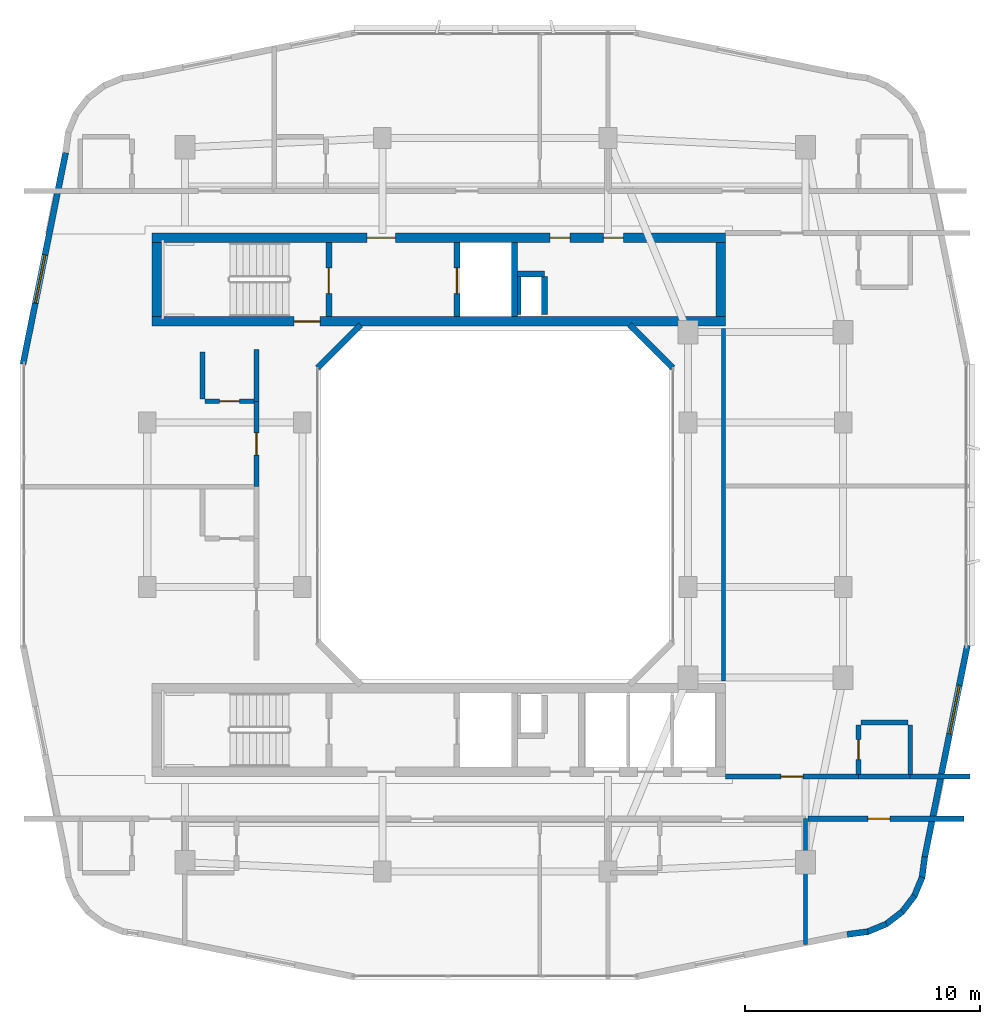
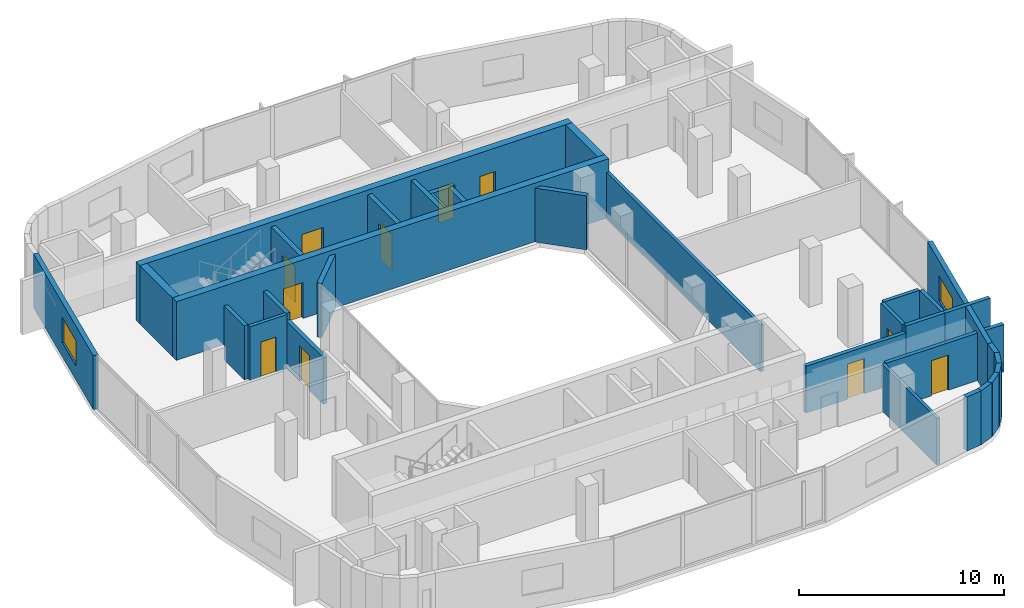
# One storey, part 8 of 14: 33 walls, 11 doors, 2 windows, 13 openings.
"""IFC4 building model written with IfcOpenShell, lengths in metres."""

from ifc_helpers import new_model, si_unit, derived_unit, direction, frame, frame_2d, origin, place, context, subcontext, project, spatial, rectangle, extrude, material, layer, layer_set, type_object, element, fill, save


model = new_model("IFC4")

# Units and contexts
model_context = context("Model", 3, precision=1e-05, world=origin(), true_north=direction((0.0, 1.0)))
body_context = subcontext(model_context, "Body", "Model", "MODEL_VIEW")
ifc_project = project(units=[si_unit("LENGTHUNIT", "METRE"), si_unit("AREAUNIT", "SQUARE_METRE"), si_unit("VOLUMEUNIT", "CUBIC_METRE"), si_unit("PLANEANGLEUNIT", "RADIAN"), si_unit("MASSUNIT", "GRAM", prefix="KILO"), derived_unit("THERMALTRANSMITTANCEUNIT", [(si_unit("POWERUNIT", "WATT"), 1), (si_unit("LENGTHUNIT", "METRE"), -2), (si_unit("THERMODYNAMICTEMPERATUREUNIT", "KELVIN"), -1)])], contexts=[model_context])

# Site, building, storey
site_placement = place(None, origin())
site = spatial("IfcSite", under=ifc_project, at=site_placement, CompositionType="ELEMENT")
building_placement = place(site_placement, origin())
building = spatial("IfcBuilding", under=site, at=building_placement, Name="Kivonza Crest Hotel", CompositionType="ELEMENT")
storey_placement = place(building_placement, frame((0.0, 0.0, 141.5)))
storey = spatial("IfcBuildingStorey", under=building, at=storey_placement, Name="L38", CompositionType="ELEMENT", Elevation=141.5)

# Walls
ifc_material_1 = material(Name="High-density acoustic masonry inter-tenancy wall", Category="masonry")
ifc_layer_1 = layer(ifc_material_1, 0.179931640625)
ifc_layer_set_1 = layer_set([ifc_layer_1], Name="High-density acoustic masonry inter-tenancy wall")
wall_type_1 = type_object("IfcWallType", Name="WL-ACOU-180", PredefinedType="SOLIDWALL", material=ifc_layer_set_1)
wall_1_placement = place(storey_placement, frame((34.199951171875, 6.299072265625, 0.0), z_axis=(0.0, 0.0, 1.0), x_axis=(0.0, 1.0, 0.0)))
element("IfcWall", 1, at=wall_1_placement, inside=storey, type_object=wall_type_1, Name="L38 interior partition WA-L38-T1S-DIV3", PredefinedType="SOLIDWALL", context=body_context, shape_type="SweptSolid", body=[
    extrude(rectangle(XDim=5.350830078125, YDim=0.179931640625, at=frame_2d((2.67529296875, 0.0))), origin(), (0.0, 0.0, 1.0), 2.794921875),
])
wall_2_placement = place(storey_placement, frame((30.7099609375, 17.5, 0.0), z_axis=(0.0, 0.0, 1.0), x_axis=(0.0, 1.0, 0.0)))
element("IfcWall", 2, at=wall_2_placement, inside=storey, type_object=wall_type_1, Name="L38 interior partition WA-L38-T1EC-W", PredefinedType="SOLIDWALL", context=body_context, shape_type="SweptSolid", body=[
    extrude(rectangle(XDim=15.0, YDim=0.179931640625, at=frame_2d((7.5, 0.0))), origin(), (0.0, 0.0, 1.0), 2.794921875),
])

# Wall, opening, door
ifc_material_2 = material(Name="Autoclaved aerated concrete blockwork", Category="masonry")
ifc_layer_2 = layer(ifc_material_2, 0.219970703125)
ifc_layer_set_2 = layer_set([ifc_layer_2], Name="Autoclaved aerated concrete blockwork")
wall_type_2 = type_object("IfcWallType", Name="WL-ACOU-220", PredefinedType="SOLIDWALL", material=ifc_layer_set_2)
wall_3_placement = place(storey_placement, frame((34.300048828125, 11.64990234375, 0.0), z_axis=(0.0, 0.0, 1.0), x_axis=(1.0, 0.0, 0.0)))
wall_3 = element("IfcWall", 3, at=wall_3_placement, inside=storey, type_object=wall_type_2, Name="L38 interior partition WA-L38-BUS-MTG-N", PredefinedType="SOLIDWALL", context=body_context, shape_type="SweptSolid", body=[
    extrude(rectangle(XDim=6.639892578125, YDim=0.219970703125, at=frame_2d((3.31982421875, 0.0))), origin(), (0.0, 0.0, 1.0), 2.8349609375),
])
opening_1_placement = place(wall_3_placement, frame((2.550048828125, 0.0, 0.0)))
opening_1 = element("IfcOpeningElement", 4, at=opening_1_placement, cuts=wall_3, Name="Opening DF-60S", PredefinedType="OPENING", context=body_context, shape_type="SweptSolid", body=[
    extrude(rectangle(XDim=0.949951171875, YDim=2.10009765625, at=frame_2d((0.47509765625, 1.050048828125))), frame((0.0, 0.1201171875, 0.0), z_axis=(0.0, -1.0, 0.0), x_axis=(1.0, 0.0, 0.0)), (0.0, 0.0, 1.0), 0.239990234375),
])
ifc_material_3 = material(Name="Hardwood timber oak", Category="wood")
door_type_1 = type_object("IfcDoorType", Name="DR-FD60-950", OperationType="NOTDEFINED", PredefinedType="DOOR", material=ifc_material_3)
door_1_placement = place(opening_1_placement, frame((0.949951171875, 0.0, 0.0), z_axis=(0.0, 0.0, 1.0), x_axis=(-1.0, 0.0, 0.0)))
door_1 = element("IfcDoor", 5, at=door_1_placement, inside=storey, type_object=door_type_1, Name="L38 Floor Conference Boardroom door", OperationType="SINGLE_SWING_RIGHT", OverallHeight=2.10009765625, OverallWidth=0.949951171875, PredefinedType="DOOR", context=body_context, shape_type="SweptSolid", body=[
    extrude(rectangle(XDim=0.949951171875, YDim=2.10009765625, at=frame_2d((0.47509765625, 1.050048828125))), frame((0.0, 0.02490234375, 0.0), z_axis=(0.0, -1.0, 0.0), x_axis=(1.0, 0.0, 0.0)), (0.0, 0.0, 1.0), 0.050048828125),
])
fill(opening_1, door_1)

# Wall
wall_4_placement = place(storey_placement, frame((10.85009765625, 29.39990234375, 0.0), z_axis=(0.0, 0.0, 1.0), x_axis=(0.0, 1.0, 0.0)))
element("IfcWall", 6, at=wall_4_placement, inside=storey, type_object=wall_type_2, Name="L38 interior partition WA-L38-W08-BCORR", PredefinedType="SOLIDWALL", context=body_context, shape_type="SweptSolid", body=[
    extrude(rectangle(XDim=2.2001953125, YDim=0.219970703125, at=frame_2d((1.10009765625, 0.0))), origin(), (0.0, 0.0, 1.0), 3.219970703125),
])

# Wall, opening, door
wall_5_placement = place(storey_placement, frame((10.85009765625, 25.77001953125, 0.0), z_axis=(0.0, 0.0, 1.0), x_axis=(0.0, 1.0, 0.0)))
wall_5 = element("IfcWall", 7, at=wall_5_placement, inside=storey, type_object=wall_type_2, Name="L38 interior partition WA-L38-W08-MCORR", PredefinedType="SOLIDWALL", context=body_context, shape_type="SweptSolid", body=[
    extrude(rectangle(XDim=3.6298828125, YDim=0.219970703125, at=frame_2d((1.81494140625, 0.0))), origin(), (0.0, 0.0, 1.0), 2.794921875),
])
opening_2_placement = place(wall_5_placement, frame((1.340087890625, 0.0, 0.0)))
opening_2 = element("IfcOpeningElement", 8, at=opening_2_placement, cuts=wall_5, Name="Opening DU-60", PredefinedType="OPENING", context=body_context, shape_type="SweptSolid", body=[
    extrude(rectangle(XDim=0.949951171875, YDim=2.10009765625, at=frame_2d((0.47509765625, 1.050048828125))), frame((0.0, 0.1201171875, 0.0), z_axis=(0.0, -1.0, 0.0), x_axis=(1.0, 0.0, 0.0)), (0.0, 0.0, 1.0), 0.239990234375),
])
door_type_2 = type_object("IfcDoorType", Name="DR-UNIT-950", OperationType="NOTDEFINED", PredefinedType="DOOR", material=ifc_material_3)
door_2_placement = place(opening_2_placement, origin())
door_2 = element("IfcDoor", 9, at=door_2_placement, inside=storey, type_object=door_type_2, Name="L38 W08 guest unit entrance fire door", OperationType="SINGLE_SWING_RIGHT", OverallHeight=2.10009765625, OverallWidth=0.949951171875, PredefinedType="DOOR", context=body_context, shape_type="SweptSolid", body=[
    extrude(rectangle(XDim=0.949951171875, YDim=2.10009765625, at=frame_2d((0.47509765625, 1.050048828125))), frame((0.0, 0.02490234375, 0.0), z_axis=(0.0, -1.0, 0.0), x_axis=(1.0, 0.0, 0.0)), (0.0, 0.0, 1.0), 0.050048828125),
])
fill(opening_2, door_2)

# Walls
wall_6_placement = place(storey_placement, frame((38.64990234375, 13.43994140625, 0.0), z_axis=(0.0, 0.0, 1.0), x_axis=(1.0, 0.0, 0.0)))
element("IfcWall", 10, at=wall_6_placement, inside=storey, type_object=wall_type_2, Name="L38 interior partition WA-L38-ES09-XCORR", PredefinedType="SOLIDWALL", context=body_context, shape_type="SweptSolid", body=[
    extrude(rectangle(XDim=2.550048828125, YDim=0.219970703125, at=frame_2d((1.27490234375, 0.0))), origin(), (0.0, 0.0, 1.0), 3.219970703125),
])
wall_7_placement = place(storey_placement, frame((36.449951171875, 13.43994140625, 0.0), z_axis=(0.0, 0.0, 1.0), x_axis=(1.0, 0.0, 0.0)))
element("IfcWall", 11, at=wall_7_placement, inside=storey, type_object=wall_type_2, Name="L38 interior partition WA-L38-ES09-BCORR", PredefinedType="SOLIDWALL", context=body_context, shape_type="SweptSolid", body=[
    extrude(rectangle(XDim=2.199951171875, YDim=0.219970703125, at=frame_2d((1.10009765625, 0.0))), origin(), (0.0, 0.0, 1.0), 3.219970703125),
])

# Wall, opening, door
wall_8_placement = place(storey_placement, frame((30.800048828125, 13.43994140625, 0.0), z_axis=(0.0, 0.0, 1.0), x_axis=(1.0, 0.0, 0.0)))
wall_8 = element("IfcWall", 12, at=wall_8_placement, inside=storey, type_object=wall_type_2, Name="L38 interior partition WA-L38-ES09-MCORR", PredefinedType="SOLIDWALL", context=body_context, shape_type="SweptSolid", body=[
    extrude(rectangle(XDim=5.64990234375, YDim=0.219970703125, at=frame_2d((2.824951171875, 0.0))), origin(), (0.0, 0.0, 1.0), 2.794921875),
])
opening_3_placement = place(wall_8_placement, frame((2.35009765625, 0.0, 0.0)))
opening_3 = element("IfcOpeningElement", 13, at=opening_3_placement, cuts=wall_8, Name="Opening DU-60", PredefinedType="OPENING", context=body_context, shape_type="SweptSolid", body=[
    extrude(rectangle(XDim=0.949951171875, YDim=2.10009765625, at=frame_2d((0.47509765625, 1.050048828125))), frame((0.0, 0.1201171875, 0.0), z_axis=(0.0, -1.0, 0.0), x_axis=(1.0, 0.0, 0.0)), (0.0, 0.0, 1.0), 0.239990234375),
])
door_3_placement = place(opening_3_placement, origin())
door_3 = element("IfcDoor", 14, at=door_3_placement, inside=storey, type_object=door_type_2, Name="L38 ES09 guest unit entrance fire door", OperationType="SINGLE_SWING_RIGHT", OverallHeight=2.10009765625, OverallWidth=0.949951171875, PredefinedType="DOOR", context=body_context, shape_type="SweptSolid", body=[
    extrude(rectangle(XDim=0.949951171875, YDim=2.10009765625, at=frame_2d((0.47509765625, 1.050048828125))), frame((0.0, 0.02490234375, 0.0), z_axis=(0.0, -1.0, 0.0), x_axis=(1.0, 0.0, 0.0)), (0.0, 0.0, 1.0), 0.050048828125),
])
fill(opening_3, door_3)

ifc_material_4 = material(Name="Concrete C50/60", Category="concrete")
ifc_layer_3 = layer(ifc_material_4, 0.39990234375)
ifc_layer_set_3 = layer_set([ifc_layer_3], Name="Concrete C50/60")
wall_type_3 = type_object("IfcWallType", Name="WL-CORE-400", PredefinedType="SHEAR", material=ifc_layer_set_3)
wall_9_placement = place(storey_placement, frame((6.39990234375, 32.800048828125, 0.0), z_axis=(0.0, 0.0, 1.0), x_axis=(1.0, 0.0, 0.0)))
wall_9 = element("IfcWall", 15, at=wall_9_placement, inside=storey, type_object=wall_type_3, Name="Core wall T1-N South L38", PredefinedType="SHEAR", context=body_context, shape_type="SweptSolid", body=[
    extrude(rectangle(XDim=24.400146484375, YDim=0.39990234375, at=frame_2d((12.2001953125, 0.0))), origin(), (0.0, 0.0, 1.0), 3.5),
])
opening_4_placement = place(wall_9_placement, frame((6.050048828125, 0.0, 0.0)))
opening_4 = element("IfcOpeningElement", 16, at=opening_4_placement, cuts=wall_9, Name="Opening DF-120", PredefinedType="OPENING", context=body_context, shape_type="SweptSolid", body=[
    extrude(rectangle(XDim=1.10009765625, YDim=2.14990234375, at=frame_2d((0.550048828125, 1.074951171875))), frame((0.0, 0.2099609375, 0.0), z_axis=(0.0, -1.0, 0.0), x_axis=(1.0, 0.0, 0.0)), (0.0, 0.0, 1.0), 0.419921875),
])
ifc_material_5 = material(Name="Galvanised steel", Category="steel")
door_type_3 = type_object("IfcDoorType", Name="DR-FD120-1100", OperationType="NOTDEFINED", PredefinedType="DOOR", material=ifc_material_5)
door_4_placement = place(opening_4_placement, origin())
door_4 = element("IfcDoor", 17, at=door_4_placement, inside=storey, type_object=door_type_3, Name="L38 West corridor stair access fire door", OperationType="SINGLE_SWING_LEFT", OverallHeight=2.14990234375, OverallWidth=1.10009765625, PredefinedType="DOOR", context=body_context, shape_type="SweptSolid", body=[
    extrude(rectangle(XDim=1.10009765625, YDim=2.14990234375, at=frame_2d((0.550048828125, 1.074951171875))), frame((0.0, 0.02490234375, 0.0), z_axis=(0.0, -1.0, 0.0), x_axis=(1.0, 0.0, 0.0)), (0.0, 0.0, 1.0), 0.050048828125),
])
fill(opening_4, door_4)

# Wall, openings, doors
wall_10_placement = place(storey_placement, frame((6.39990234375, 36.360107421875, 0.0), z_axis=(0.0, 0.0, 1.0), x_axis=(1.0, 0.0, 0.0)))
wall_10 = element("IfcWall", 18, at=wall_10_placement, inside=storey, type_object=wall_type_3, Name="Core wall T1-N North L38", PredefinedType="SHEAR", context=body_context, shape_type="SweptSolid", body=[
    extrude(rectangle(XDim=24.400146484375, YDim=0.39990234375, at=frame_2d((12.2001953125, 0.0))), origin(), (0.0, 0.0, 1.0), 3.5),
])
opening_5_placement = place(wall_10_placement, frame((9.14990234375, 0.0, 0.0)))
opening_5 = element("IfcOpeningElement", 19, at=opening_5_placement, cuts=wall_10, Name="Opening DF-60", PredefinedType="OPENING", context=body_context, shape_type="SweptSolid", body=[
    extrude(rectangle(XDim=1.199951171875, YDim=2.14990234375, at=frame_2d((0.60009765625, 1.074951171875))), frame((0.0, 0.2099609375, 0.0), z_axis=(0.0, -1.0, 0.0), x_axis=(1.0, 0.0, 0.0)), (0.0, 0.0, 1.0), 0.419921875),
])
opening_6_placement = place(wall_10_placement, frame((19.199951171875, 0.0, 0.0)))
opening_6 = element("IfcOpeningElement", 20, at=opening_6_placement, cuts=wall_10, Name="Opening DF-60R", PredefinedType="OPENING", context=body_context, shape_type="SweptSolid", body=[
    extrude(rectangle(XDim=0.85009765625, YDim=2.10009765625, at=frame_2d((0.425048828125, 1.050048828125))), frame((0.0, 0.2099609375, 0.0), z_axis=(0.0, -1.0, 0.0), x_axis=(1.0, 0.0, 0.0)), (0.0, 0.0, 1.0), 0.419921875),
])
opening_7_placement = place(wall_10_placement, frame((16.93994140625, 0.0, 0.0)))
opening_7 = element("IfcOpeningElement", 21, at=opening_7_placement, cuts=wall_10, Name="Opening DF-60R", PredefinedType="OPENING", context=body_context, shape_type="SweptSolid", body=[
    extrude(rectangle(XDim=0.85009765625, YDim=2.10009765625, at=frame_2d((0.425048828125, 1.050048828125))), frame((0.0, 0.2099609375, 0.0), z_axis=(0.0, -1.0, 0.0), x_axis=(1.0, 0.0, 0.0)), (0.0, 0.0, 1.0), 0.419921875),
])
door_type_4 = type_object("IfcDoorType", Name="DR-FD60-1200", OperationType="NOTDEFINED", PredefinedType="DOOR", material=ifc_material_3)
door_5_placement = place(opening_5_placement, origin())
door_5 = element("IfcDoor", 22, at=door_5_placement, inside=storey, type_object=door_type_4, Name="L38 T1-N firefighting lobby fire door", OperationType="SINGLE_SWING_RIGHT", OverallHeight=2.14990234375, OverallWidth=1.199951171875, PredefinedType="DOOR", context=body_context, shape_type="SweptSolid", body=[
    extrude(rectangle(XDim=1.199951171875, YDim=2.14990234375, at=frame_2d((0.60009765625, 1.074951171875))), frame((0.0, 0.02490234375, 0.0), z_axis=(0.0, -1.0, 0.0), x_axis=(1.0, 0.0, 0.0)), (0.0, 0.0, 1.0), 0.050048828125),
])
fill(opening_5, door_5)
door_type_5 = type_object("IfcDoorType", Name="DR-FD60-850", OperationType="NOTDEFINED", PredefinedType="DOOR", material=ifc_material_3)
door_6_placement = place(opening_6_placement, origin())
door_6 = element("IfcDoor", 23, at=door_6_placement, inside=storey, type_object=door_type_5, Name="L38 T1-N reclaimed core service door", OperationType="SINGLE_SWING_LEFT", OverallHeight=2.10009765625, OverallWidth=0.85009765625, PredefinedType="DOOR", context=body_context, shape_type="SweptSolid", body=[
    extrude(rectangle(XDim=0.85009765625, YDim=2.10009765625, at=frame_2d((0.425048828125, 1.050048828125))), frame((0.0, 0.02490234375, 0.0), z_axis=(0.0, -1.0, 0.0), x_axis=(1.0, 0.0, 0.0)), (0.0, 0.0, 1.0), 0.050048828125),
])
fill(opening_6, door_6)
door_7_placement = place(opening_7_placement, origin())
door_7 = element("IfcDoor", 24, at=door_7_placement, inside=storey, type_object=door_type_5, Name="L38 T1-N core room door", OperationType="SINGLE_SWING_RIGHT", OverallHeight=2.10009765625, OverallWidth=0.85009765625, PredefinedType="DOOR", context=body_context, shape_type="SweptSolid", body=[
    extrude(rectangle(XDim=0.85009765625, YDim=2.10009765625, at=frame_2d((0.425048828125, 1.050048828125))), frame((0.0, 0.02490234375, 0.0), z_axis=(0.0, -1.0, 0.0), x_axis=(1.0, 0.0, 0.0)), (0.0, 0.0, 1.0), 0.050048828125),
])
fill(opening_7, door_7)

# Walls
for number, where, z_axis, x_axis, name in (
    (25, (6.60009765625, 33.0, 0.0), (0.0, 0.0, 1.0), (0.0, 1.0, 0.0), "Core wall T1-N West L38"),
    (26, (30.60009765625, 33.0, 0.0), (0.0, 0.0, 1.0), (0.0, 1.0, 0.0), "Core wall T1-N East L38"),
):
    element("IfcWall", number, at=place(storey_placement, frame(where, z_axis=z_axis, x_axis=x_axis)), inside=storey, type_object=wall_type_3, Name=name, PredefinedType="SHEAR", context=body_context, shape_type="SweptSolid", body=[
        extrude(rectangle(XDim=3.159912109375, YDim=0.39990234375, at=frame_2d((1.580078125, 0.0))), origin(), (0.0, 0.0, 1.0), 3.5),
    ])
ifc_material_6 = material(Name="Precast concrete C40/50", Category="concrete")
ifc_layer_4 = layer(ifc_material_6, 0.260009765625)
ifc_layer_set_4 = layer_set([ifc_layer_4], Name="Precast concrete C40/50")
wall_type_4 = type_object("IfcWallType", Name="WL-EXT-260", PredefinedType="STANDARD", material=ifc_layer_set_4)
wall_11_placement = place(storey_placement, frame((35.97509765625, 6.72802734375, 0.0), z_axis=(0.0, 0.0, 1.0), x_axis=(0.991388484223, 0.130953706898, 0.0)))
element("IfcWall", 27, at=wall_11_placement, inside=storey, type_object=wall_type_4, Name="L38 T1 exterior insulated wall 10", PredefinedType="STANDARD", context=body_context, shape_type="SweptSolid", body=[
    extrude(rectangle(XDim=0.885498046875, YDim=0.260009765625, at=frame_2d((0.44287109375, 0.0))), origin(), (0.0, 0.0, 1.0), 3.219970703125),
])
wall_12_placement = place(storey_placement, frame((36.806884765625, 6.825927734375, 0.0), z_axis=(0.0, 0.0, 1.0), x_axis=(0.923627776508, 0.383290660547, 0.0)))
element("IfcWall", 28, at=wall_12_placement, inside=storey, type_object=wall_type_4, Name="L38 T1 exterior insulated wall 11", PredefinedType="STANDARD", context=body_context, shape_type="SweptSolid", body=[
    extrude(rectangle(XDim=0.9033203125, YDim=0.260009765625, at=frame_2d((0.45166015625, 0.0))), origin(), (0.0, 0.0, 1.0), 3.219970703125),
])
wall_13_placement = place(storey_placement, frame((37.60107421875, 7.14404296875, 0.0), z_axis=(0.0, 0.0, 1.0), x_axis=(0.793458244748, 0.608624690463, 0.0)))
element("IfcWall", 29, at=wall_13_placement, inside=storey, type_object=wall_type_4, Name="L38 T1 exterior insulated wall 12", PredefinedType="STANDARD", context=body_context, shape_type="SweptSolid", body=[
    extrude(rectangle(XDim=0.902099609375, YDim=0.260009765625, at=frame_2d((0.451171875, 0.0))), origin(), (0.0, 0.0, 1.0), 3.219970703125),
])
wall_14_placement = place(storey_placement, frame((38.285888671875, 7.655029296875, 0.0), z_axis=(0.0, 0.0, 1.0), x_axis=(0.608494022858, 0.793558456666, 0.0)))
element("IfcWall", 30, at=wall_14_placement, inside=storey, type_object=wall_type_4, Name="L38 T1 exterior insulated wall 13", PredefinedType="STANDARD", context=body_context, shape_type="SweptSolid", body=[
    extrude(rectangle(XDim=0.90234375, YDim=0.260009765625, at=frame_2d((0.451171875, 0.0))), origin(), (0.0, 0.0, 1.0), 3.219970703125),
])
wall_15_placement = place(storey_placement, frame((38.81396484375, 8.326904296875, 0.0), z_axis=(0.0, 0.0, 1.0), x_axis=(0.383155708213, 0.923683767999, 0.0)))
element("IfcWall", 31, at=wall_15_placement, inside=storey, type_object=wall_type_4, Name="L38 T1 exterior insulated wall 14", PredefinedType="STANDARD", context=body_context, shape_type="SweptSolid", body=[
    extrude(rectangle(XDim=0.90283203125, YDim=0.260009765625, at=frame_2d((0.451416015625, 0.0))), origin(), (0.0, 0.0, 1.0), 3.219970703125),
])
wall_16_placement = place(storey_placement, frame((39.152099609375, 9.112060546875, 0.0), z_axis=(0.0, 0.0, 1.0), x_axis=(0.130200706103, 0.991487658083, 0.0)))
element("IfcWall", 32, at=wall_16_placement, inside=storey, type_object=wall_type_4, Name="L38 T1 exterior insulated wall 15", PredefinedType="STANDARD", context=body_context, shape_type="SweptSolid", body=[
    extrude(rectangle(XDim=0.920654296875, YDim=0.260009765625, at=frame_2d((0.46044921875, 0.0))), origin(), (0.0, 0.0, 1.0), 3.219970703125),
])

# Wall, opening, window
wall_17_placement = place(storey_placement, frame((39.27099609375, 10.01806640625, 0.0), z_axis=(0.0, 0.0, 1.0), x_axis=(0.197435082048, 0.980315963543, 0.0)))
wall_17 = element("IfcWall", 33, at=wall_17_placement, inside=storey, type_object=wall_type_4, Name="L38 T1 exterior insulated wall 16", PredefinedType="STANDARD", context=body_context, shape_type="SweptSolid", body=[
    extrude(rectangle(XDim=9.1826171875, YDim=0.260009765625, at=frame_2d((4.59130859375, 0.0))), origin(), (0.0, 0.0, 1.0), 3.219970703125),
])
opening_8_placement = place(wall_17_placement, frame((5.34912109375, 0.0, 0.85009765625)))
opening_8 = element("IfcOpeningElement", 34, at=opening_8_placement, cuts=wall_17, Name="Opening WN-04", PredefinedType="OPENING", context=body_context, shape_type="SweptSolid", body=[
    extrude(rectangle(XDim=2.10009765625, YDim=1.5, at=frame_2d((1.050048828125, 0.75))), frame((0.0, 0.14013671875, 0.0), z_axis=(0.0, -1.0, 0.0), x_axis=(1.0, 0.0, 0.0)), (0.0, 0.0, 1.0), 0.280029296875),
])
ifc_material_7 = material(Name="Thermally broken bronze aluminium and low-E double glazing", Category="aluminium")
window_type = type_object("IfcWindowType", Name="WN-210x150", PartitioningType="DOUBLE_PANEL_VERTICAL", PredefinedType="WINDOW", material=ifc_material_7)
window_1_placement = place(opening_8_placement, origin())
window_1 = element("IfcWindow", 35, at=window_1_placement, inside=storey, type_object=window_type, Name="L38 T1 facade window 16", OverallHeight=1.5, OverallWidth=2.10009765625, PartitioningType="SINGLE_PANEL", PredefinedType="WINDOW", context=body_context, shape_type="SweptSolid", body=[
    extrude(rectangle(XDim=2.10009765625, YDim=1.5, at=frame_2d((1.050048828125, 0.75))), frame((0.0, 0.030029296875, 0.0), z_axis=(0.0, -1.0, 0.0), x_axis=(1.0, 0.0, 0.0)), (0.0, 0.0, 1.0), 0.06005859375),
])
fill(opening_8, window_1)

wall_18_placement = place(storey_placement, frame((2.72900390625, 39.98193359375, 0.0), z_axis=(0.0, 0.0, 1.0), x_axis=(-0.197435082048, -0.980315963543, 0.0)))
wall_18 = element("IfcWall", 36, at=wall_18_placement, inside=storey, type_object=wall_type_4, Name="L38 T1 exterior insulated wall 34", PredefinedType="STANDARD", context=body_context, shape_type="SweptSolid", body=[
    extrude(rectangle(XDim=9.1826171875, YDim=0.260009765625, at=frame_2d((4.59130859375, 0.0))), origin(), (0.0, 0.0, 1.0), 3.219970703125),
])
opening_9_placement = place(wall_18_placement, frame((4.43603515625, 0.0, 0.85009765625)))
opening_9 = element("IfcOpeningElement", 37, at=opening_9_placement, cuts=wall_18, Name="Opening WN-04", PredefinedType="OPENING", context=body_context, shape_type="SweptSolid", body=[
    extrude(rectangle(XDim=2.10009765625, YDim=1.5, at=frame_2d((1.050048828125, 0.75))), frame((0.0, 0.14013671875, 0.0), z_axis=(0.0, -1.0, 0.0), x_axis=(1.0, 0.0, 0.0)), (0.0, 0.0, 1.0), 0.280029296875),
])
window_2_placement = place(opening_9_placement, origin())
window_2 = element("IfcWindow", 38, at=window_2_placement, inside=storey, type_object=window_type, Name="L38 T1 facade window 34", OverallHeight=1.5, OverallWidth=2.10009765625, PartitioningType="SINGLE_PANEL", PredefinedType="WINDOW", context=body_context, shape_type="SweptSolid", body=[
    extrude(rectangle(XDim=2.10009765625, YDim=1.5, at=frame_2d((1.050048828125, 0.75))), frame((0.0, 0.030029296875, 0.0), z_axis=(0.0, -1.0, 0.0), x_axis=(1.0, 0.0, 0.0)), (0.0, 0.0, 1.0), 0.06005859375),
])
fill(opening_9, window_2)

# Walls
for number, where, z_axis, x_axis, name in (
    (39, (28.555908203125, 30.827880859375, 0.0), (0.0, 0.0, 1.0), (-0.707059717605, 0.707153841636, 0.0), "L38 T1 light-well exterior wall 4"),
    (40, (15.278076171875, 32.662109375, 0.0), (0.0, 0.0, 1.0), (-0.707059717605, -0.707153841636, 0.0), "L38 T1 light-well exterior wall 6"),
):
    element("IfcWall", number, at=place(storey_placement, frame(where, z_axis=z_axis, x_axis=x_axis)), inside=storey, type_object=wall_type_4, Name=name, PredefinedType="STANDARD", context=body_context, shape_type="SweptSolid", body=[
        extrude(rectangle(XDim=2.59375, YDim=0.260009765625, at=frame_2d((1.296875, 0.0))), origin(), (0.0, 0.0, 1.0), 3.219970703125),
    ])
ifc_material_8 = material(Name="Concrete blockwork fire-compartment wall", Category="masonry")
ifc_layer_5 = layer(ifc_material_8, 0.25)
ifc_layer_set_5 = layer_set([ifc_layer_5], Name="Concrete blockwork fire-compartment wall")
wall_type_5 = type_object("IfcWallType", Name="WL-FIRE-250", PredefinedType="SOLIDWALL", material=ifc_layer_set_5)
wall_19_placement = place(storey_placement, frame((23.10009765625, 33.10009765625, 0.0), z_axis=(0.0, 0.0, 1.0), x_axis=(0.0, 1.0, 0.0)))
element("IfcWall", 41, at=wall_19_placement, inside=storey, type_object=wall_type_5, Name="L38 interior partition WA-L38-T1-N-MEPR-E", PredefinedType="SOLIDWALL", context=body_context, shape_type="SweptSolid", body=[
    extrude(rectangle(XDim=1.619873046875, YDim=0.25, at=frame_2d((0.81005859375, 0.0))), origin(), (0.0, 0.0, 1.0), 3.219970703125),
])
wall_20_placement = place(storey_placement, frame((21.949951171875, 34.820068359375, 0.0), z_axis=(0.0, 0.0, 1.0), x_axis=(1.0, 0.0, 0.0)))
element("IfcWall", 42, at=wall_20_placement, inside=storey, type_object=wall_type_5, Name="L38 interior partition WA-L38-T1-N-MEPR-H", PredefinedType="SOLIDWALL", context=body_context, shape_type="SweptSolid", body=[
    extrude(rectangle(XDim=1.150146484375, YDim=0.25, at=frame_2d((0.5751953125, 0.0))), origin(), (0.0, 0.0, 1.0), 3.219970703125),
])
ifc_material_9 = material(Name="Twin-stud acoustic gypsum board partition", Category="gypsum")
ifc_layer_6 = layer(ifc_material_9, 0.14990234375)
ifc_layer_set_6 = layer_set([ifc_layer_6], Name="Twin-stud acoustic gypsum board partition")
wall_type_6 = type_object("IfcWallType", Name="WL-PART-150", PredefinedType="PARTITIONING", material=ifc_layer_set_6)
wall_21_placement = place(storey_placement, frame((22.030029296875, 33.10009765625, 0.0), z_axis=(0.0, 0.0, 1.0), x_axis=(0.0, 1.0, 0.0)))
element("IfcWall", 43, at=wall_21_placement, inside=storey, type_object=wall_type_6, Name="L38 interior partition WA-L38-T1-N-MEPR-W", PredefinedType="PARTITIONING", context=body_context, shape_type="SweptSolid", body=[
    extrude(rectangle(XDim=1.619873046875, YDim=0.14990234375, at=frame_2d((0.81005859375, 0.0))), origin(), (0.0, 0.0, 1.0), 3.219970703125),
])

# Wall, opening, door
ifc_material_10 = material(Name="Moisture-resistant plumbing chase partition wall", Category="gypsum")
ifc_layer_7 = layer(ifc_material_10, 0.199951171875)
ifc_layer_set_7 = layer_set([ifc_layer_7], Name="Moisture-resistant plumbing chase partition wall")
wall_type_7 = type_object("IfcWallType", Name="WL-PLUMB-200", PredefinedType="PLUMBINGWALL", material=ifc_layer_set_7)
wall_22_placement = place(storey_placement, frame((8.64990234375, 29.39990234375, 0.0), z_axis=(0.0, 0.0, 1.0), x_axis=(1.0, 0.0, 0.0)))
wall_22 = element("IfcWall", 44, at=wall_22_placement, inside=storey, type_object=wall_type_7, Name="L38 interior partition WW-L38-W08-BH", PredefinedType="PLUMBINGWALL", context=body_context, shape_type="SweptSolid", body=[
    extrude(rectangle(XDim=2.10009765625, YDim=0.199951171875, at=frame_2d((1.050048828125, 0.0))), origin(), (0.0, 0.0, 1.0), 3.219970703125),
])
opening_10_placement = place(wall_22_placement, frame((0.625, 0.0, 0.0)))
opening_10 = element("IfcOpeningElement", 45, at=opening_10_placement, cuts=wall_22, Name="Opening DI-85", PredefinedType="OPENING", context=body_context, shape_type="SweptSolid", body=[
    extrude(rectangle(XDim=0.85009765625, YDim=2.10009765625, at=frame_2d((0.425048828125, 1.050048828125))), frame((0.0, 0.10986328125, 0.0), z_axis=(0.0, -1.0, 0.0), x_axis=(1.0, 0.0, 0.0)), (0.0, 0.0, 1.0), 0.219970703125),
])
door_type_6 = type_object("IfcDoorType", Name="DR-INT-850", OperationType="NOTDEFINED", PredefinedType="DOOR", material=ifc_material_3)
door_8_placement = place(opening_10_placement, frame((0.85009765625, 0.0, 0.0), z_axis=(0.0, 0.0, 1.0), x_axis=(-1.0, 0.0, 0.0)))
door_8 = element("IfcDoor", 46, at=door_8_placement, inside=storey, type_object=door_type_6, Name="L38 W08 en-suite bathroom door", OperationType="SINGLE_SWING_LEFT", OverallHeight=2.10009765625, OverallWidth=0.85009765625, PredefinedType="DOOR", context=body_context, shape_type="SweptSolid", body=[
    extrude(rectangle(XDim=0.85009765625, YDim=2.10009765625, at=frame_2d((0.425048828125, 1.050048828125))), frame((0.0, 0.02490234375, 0.0), z_axis=(0.0, -1.0, 0.0), x_axis=(1.0, 0.0, 0.0)), (0.0, 0.0, 1.0), 0.050048828125),
])
fill(opening_10, door_8)

# Wall
wall_23_placement = place(storey_placement, frame((8.550048828125, 29.5, 0.0), z_axis=(0.0, 0.0, 1.0), x_axis=(0.0, 1.0, 0.0)))
element("IfcWall", 47, at=wall_23_placement, inside=storey, type_object=wall_type_7, Name="L38 interior partition WW-L38-W08-BV", PredefinedType="PLUMBINGWALL", context=body_context, shape_type="SweptSolid", body=[
    extrude(rectangle(XDim=2.0, YDim=0.199951171875, at=frame_2d((1.0, 0.0))), origin(), (0.0, 0.0, 1.0), 3.219970703125),
])

# Wall, opening, door
wall_24_placement = place(storey_placement, frame((36.449951171875, 13.5400390625, 0.0), z_axis=(0.0, 0.0, 1.0), x_axis=(0.0, 1.0, 0.0)))
wall_24 = element("IfcWall", 48, at=wall_24_placement, inside=storey, type_object=wall_type_7, Name="L38 interior partition WW-L38-ES09-BV", PredefinedType="PLUMBINGWALL", context=body_context, shape_type="SweptSolid", body=[
    extrude(rectangle(XDim=2.099853515625, YDim=0.199951171875, at=frame_2d((1.0498046875, 0.0))), origin(), (0.0, 0.0, 1.0), 3.219970703125),
])
opening_11_placement = place(wall_24_placement, frame((0.625, 0.0, 0.0)))
opening_11 = element("IfcOpeningElement", 49, at=opening_11_placement, cuts=wall_24, Name="Opening DI-85", PredefinedType="OPENING", context=body_context, shape_type="SweptSolid", body=[
    extrude(rectangle(XDim=0.85009765625, YDim=2.10009765625, at=frame_2d((0.425048828125, 1.050048828125))), frame((0.0, 0.10986328125, 0.0), z_axis=(0.0, -1.0, 0.0), x_axis=(1.0, 0.0, 0.0)), (0.0, 0.0, 1.0), 0.219970703125),
])
door_9_placement = place(opening_11_placement, origin())
door_9 = element("IfcDoor", 50, at=door_9_placement, inside=storey, type_object=door_type_6, Name="L38 ES09 en-suite bathroom door", OperationType="SINGLE_SWING_LEFT", OverallHeight=2.10009765625, OverallWidth=0.85009765625, PredefinedType="DOOR", context=body_context, shape_type="SweptSolid", body=[
    extrude(rectangle(XDim=0.85009765625, YDim=2.10009765625, at=frame_2d((0.425048828125, 1.050048828125))), frame((0.0, 0.02490234375, 0.0), z_axis=(0.0, -1.0, 0.0), x_axis=(1.0, 0.0, 0.0)), (0.0, 0.0, 1.0), 0.050048828125),
])
fill(opening_11, door_9)

# Walls
wall_25_placement = place(storey_placement, frame((36.550048828125, 15.739990234375, 0.0), z_axis=(0.0, 0.0, 1.0), x_axis=(1.0, 0.0, 0.0)))
element("IfcWall", 51, at=wall_25_placement, inside=storey, type_object=wall_type_7, Name="L38 interior partition WW-L38-ES09-BH", PredefinedType="PLUMBINGWALL", context=body_context, shape_type="SweptSolid", body=[
    extrude(rectangle(XDim=2.0, YDim=0.199951171875, at=frame_2d((1.0, 0.0))), origin(), (0.0, 0.0, 1.0), 3.219970703125),
])
wall_26_placement = place(storey_placement, frame((38.64990234375, 13.5400390625, 0.0), z_axis=(0.0, 0.0, 1.0), x_axis=(0.0, 1.0, 0.0)))
element("IfcWall", 52, at=wall_26_placement, inside=storey, type_object=wall_type_7, Name="L38 interior partition WW-L38-ES09-BVE", PredefinedType="PLUMBINGWALL", context=body_context, shape_type="SweptSolid", body=[
    extrude(rectangle(XDim=2.099853515625, YDim=0.199951171875, at=frame_2d((1.0498046875, 0.0))), origin(), (0.0, 0.0, 1.0), 3.219970703125),
])

# Wall, opening, door
ifc_layer_8 = layer(ifc_material_4, 0.25)
ifc_layer_set_8 = layer_set([ifc_layer_8], Name="Concrete C50/60")
wall_type_8 = type_object("IfcWallType", Name="WL-SHAFT-250", PredefinedType="STANDARD", material=ifc_layer_set_8)
wall_27_placement = place(storey_placement, frame((13.925048828125, 33.0, 0.0), z_axis=(0.0, 0.0, 1.0), x_axis=(0.0, 1.0, 0.0)))
wall_27 = element("IfcWall", 53, at=wall_27_placement, inside=storey, type_object=wall_type_8, Name="Core shaft wall T1-N STAIR L38", PredefinedType="STANDARD", context=body_context, shape_type="SweptSolid", body=[
    extrude(rectangle(XDim=3.159912109375, YDim=0.25, at=frame_2d((1.580078125, 0.0))), origin(), (0.0, 0.0, 1.0), 3.219970703125),
])
opening_12_placement = place(wall_27_placement, frame((0.97998046875, 0.0, 0.0)))
opening_12 = element("IfcOpeningElement", 54, at=opening_12_placement, cuts=wall_27, Name="Opening DF-120", PredefinedType="OPENING", context=body_context, shape_type="SweptSolid", body=[
    extrude(rectangle(XDim=1.10009765625, YDim=2.14990234375, at=frame_2d((0.550048828125, 1.074951171875))), frame((0.0, 0.135009765625, 0.0), z_axis=(0.0, -1.0, 0.0), x_axis=(1.0, 0.0, 0.0)), (0.0, 0.0, 1.0), 0.27001953125),
])
door_10_placement = place(opening_12_placement, frame((1.10009765625, 0.0, 0.0), z_axis=(0.0, 0.0, 1.0), x_axis=(-1.0, 0.0, 0.0)))
door_10 = element("IfcDoor", 55, at=door_10_placement, inside=storey, type_object=door_type_3, Name="L38 T1-N stair fire door", OperationType="SINGLE_SWING_LEFT", OverallHeight=2.14990234375, OverallWidth=1.10009765625, PredefinedType="DOOR", context=body_context, shape_type="SweptSolid", body=[
    extrude(rectangle(XDim=1.10009765625, YDim=2.14990234375, at=frame_2d((0.550048828125, 1.074951171875))), frame((0.0, 0.02490234375, 0.0), z_axis=(0.0, -1.0, 0.0), x_axis=(1.0, 0.0, 0.0)), (0.0, 0.0, 1.0), 0.050048828125),
])
fill(opening_12, door_10)

wall_28_placement = place(storey_placement, frame((19.375, 33.0, 0.0), z_axis=(0.0, 0.0, 1.0), x_axis=(0.0, 1.0, 0.0)))
wall_28 = element("IfcWall", 56, at=wall_28_placement, inside=storey, type_object=wall_type_8, Name="Core shaft wall T1-N FFL-W L38", PredefinedType="STANDARD", context=body_context, shape_type="SweptSolid", body=[
    extrude(rectangle(XDim=3.159912109375, YDim=0.25, at=frame_2d((1.580078125, 0.0))), origin(), (0.0, 0.0, 1.0), 3.219970703125),
])
opening_13_placement = place(wall_28_placement, frame((0.97998046875, 0.0, 0.0)))
opening_13 = element("IfcOpeningElement", 57, at=opening_13_placement, cuts=wall_28, Name="Opening LD-120", PredefinedType="OPENING", context=body_context, shape_type="SweptSolid", body=[
    extrude(rectangle(XDim=1.10009765625, YDim=2.14990234375, at=frame_2d((0.550048828125, 1.074951171875))), frame((0.0, 0.135009765625, 0.0), z_axis=(0.0, -1.0, 0.0), x_axis=(1.0, 0.0, 0.0)), (0.0, 0.0, 1.0), 0.27001953125),
])
ifc_material_11 = material(Name="Stainless steel", Category="steel")
door_type_7 = type_object("IfcDoorType", Name="DR-LD120-1100", OperationType="NOTDEFINED", PredefinedType="DOOR", material=ifc_material_11)
door_11_placement = place(opening_13_placement, origin())
door_11 = element("IfcDoor", 58, at=door_11_placement, inside=storey, type_object=door_type_7, Name="L38 FFL-T1-N firefighting lift sliding landing door", OperationType="DOUBLE_DOOR_SLIDING", OverallHeight=2.14990234375, OverallWidth=1.10009765625, PredefinedType="DOOR", context=body_context, shape_type="SweptSolid", body=[
    extrude(rectangle(XDim=1.10009765625, YDim=2.14990234375, at=frame_2d((0.550048828125, 1.074951171875))), frame((0.0, 0.02490234375, 0.0), z_axis=(0.0, -1.0, 0.0), x_axis=(1.0, 0.0, 0.0)), (0.0, 0.0, 1.0), 0.050048828125),
])
fill(opening_13, door_11)

# Wall
wall_29_placement = place(storey_placement, frame((21.824951171875, 33.0, 0.0), z_axis=(0.0, 0.0, 1.0), x_axis=(0.0, 1.0, 0.0)))
element("IfcWall", 59, at=wall_29_placement, inside=storey, type_object=wall_type_8, Name="Core shaft wall T1-N FFL-E L38", PredefinedType="STANDARD", context=body_context, shape_type="SweptSolid", body=[
    extrude(rectangle(XDim=3.159912109375, YDim=0.25, at=frame_2d((1.580078125, 0.0))), origin(), (0.0, 0.0, 1.0), 3.219970703125),
])

save(model, "model.ifc")
